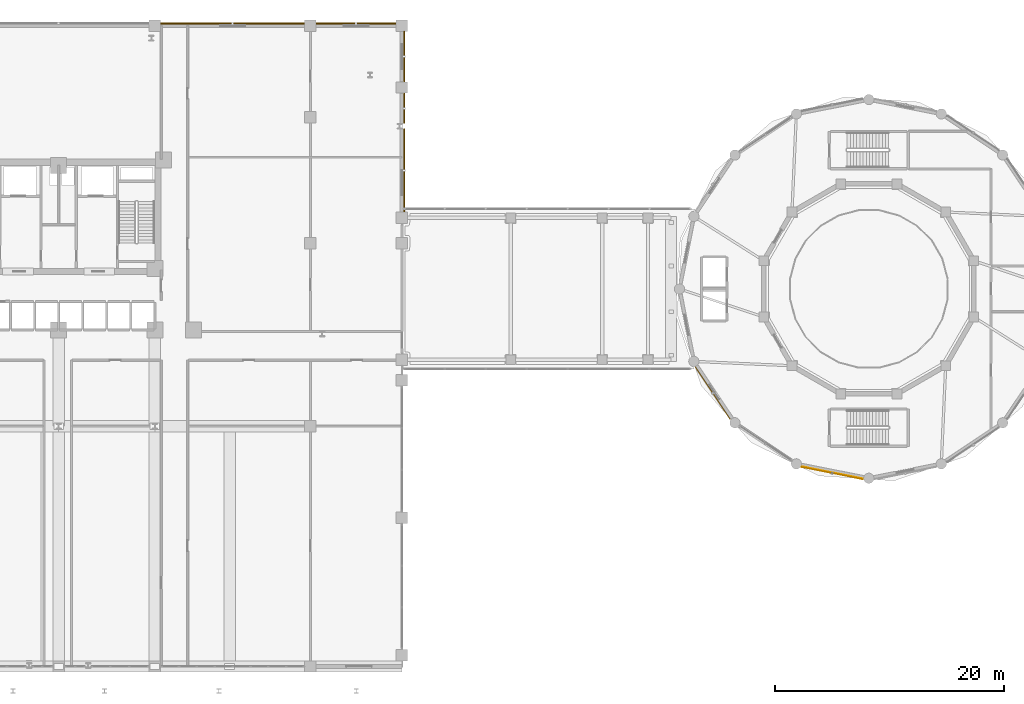
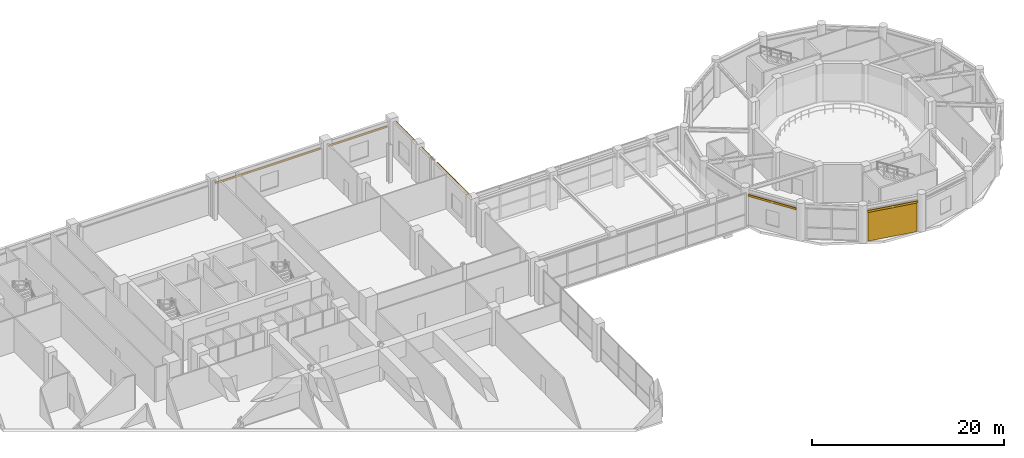
# One storey, part 41 of 44: 7 shading devices, 1 covering.
"""IFC4 building model written with IfcOpenShell, lengths in metres."""

from ifc_helpers import new_model, si_unit, derived_unit, direction, frame, origin, origin_2d, place, context, subcontext, project, spatial, polyline, hollow_rectangle, outline, extrude, source, transform, mapped, material, layer, layer_set, material_profile, profile_set, type_object, element, save


model = new_model("IFC4")

# Units and contexts
model_context = context("Model", 3, precision=1e-05, world=origin(), true_north=direction((0.0, 1.0)))
body_context = subcontext(model_context, "Body", "Model", "MODEL_VIEW")
ifc_project = project(units=[si_unit("LENGTHUNIT", "METRE"), si_unit("AREAUNIT", "SQUARE_METRE"), si_unit("VOLUMEUNIT", "CUBIC_METRE"), si_unit("PLANEANGLEUNIT", "RADIAN"), si_unit("MASSUNIT", "GRAM", prefix="KILO"), derived_unit("THERMALTRANSMITTANCEUNIT", [(si_unit("POWERUNIT", "WATT"), 1), (si_unit("LENGTHUNIT", "METRE"), -2), (si_unit("THERMODYNAMICTEMPERATUREUNIT", "KELVIN"), -1)])], contexts=[model_context])

# Site, building, storey
site_placement = place(None, origin())
site = spatial("IfcSite", under=ifc_project, at=site_placement, CompositionType="ELEMENT")
building_placement = place(site_placement, origin())
building = spatial("IfcBuilding", under=site, at=building_placement, Name="Korsvarv Bourse and Concert Hall", CompositionType="ELEMENT")
storey_placement = place(building_placement, frame((0.0, 0.0, 9.60009765625)))
storey = spatial("IfcBuildingStorey", under=building, at=storey_placement, Name="L02", CompositionType="ELEMENT", Elevation=9.60009765625)

# Covering
ifc_material_1 = material(Name="Warm iron-oxide extruded terracotta rainscreen tile", Category="ceramic")
ifc_layer = layer(ifc_material_1, 0.044921875)
ifc_layer_set = layer_set([ifc_layer], Name="Warm iron-oxide extruded terracotta rainscreen tile")
covering_type = type_object("IfcCoveringType", Name="COV-CLD-TC", PredefinedType="CLADDING", material=ifc_layer_set)
covering_placement = place(storey_placement, origin())
element("IfcCovering", 1, at=covering_placement, inside=storey, type_object=covering_type, Name="L02 fluted terracotta cladding panel EW-L02-CHD12", PredefinedType="CLADDING", context=body_context, shape_type="SweptSolid", body=[
    extrude(outline(polyline([(100.965087890625, 20.472900390625), (106.248779296875, 19.422119140625), (106.239990234375, 19.3779296875), (100.956298828125, 20.428955078125), (100.965087890625, 20.472900390625)])), origin(), (0.0, 0.0, 1.0), 3.6298828125),
])

# Shading devices
ifc_material_2 = material(Name="Glazed extruded architectural terracotta", Category="ceramic")
ifc_material_profile = material_profile(ifc_material_2, hollow_rectangle(XDim=0.090087890625, YDim=0.260009765625, WallThickness=0.011962890625, at=origin_2d()), Name="TC-BAG 90x260")
ifc_profile_set = profile_set([ifc_material_profile], Name="Glazed extruded architectural terracotta")
shading_device_type = type_object("IfcShadingDeviceType", Name="SHD-BAG-1", PredefinedType="USERDEFINED", material=ifc_profile_set)
shared_shape_1 = source(origin(), body_context, "Body", "SweptSolid", [
    extrude(hollow_rectangle(XDim=0.090087890625, YDim=0.260009765625, WallThickness=0.011962890625, at=origin_2d()), origin(), (0.0, 0.0, 1.0), 12.590087890625),
])
shading_device_1_placement = place(storey_placement, frame((44.905029296875, 59.195068359375, 3.489990234375), z_axis=(1.0, 0.0, 0.0), x_axis=(0.0, 1.0, 0.0)))
element("IfcShadingDevice", 2, at=shading_device_1_placement, inside=storey, type_object=shading_device_type, Name="L02 terracotta baguette sunshade EW-L02-N4", ObjectType="BAGUETTE", PredefinedType="USERDEFINED", context=body_context, shape_type="MappedRepresentation", body=[
    mapped(shared_shape_1, transform((0.0, 0.0, 0.0), scale=1.0)),
])
shared_shape_2 = source(origin(), body_context, "Body", "SweptSolid", [
    extrude(hollow_rectangle(XDim=0.090087890625, YDim=0.260009765625, WallThickness=0.011962890625, at=origin_2d()), origin(), (0.0, 0.0, 1.0), 6.990234375),
])
shading_device_2_placement = place(storey_placement, frame((58.5048828125, 59.195068359375, 3.489990234375), z_axis=(1.0, 0.0, 0.0), x_axis=(0.0, 1.0, 0.0)))
element("IfcShadingDevice", 3, at=shading_device_2_placement, inside=storey, type_object=shading_device_type, Name="L02 terracotta baguette sunshade EW-L02-N5", ObjectType="BAGUETTE", PredefinedType="USERDEFINED", context=body_context, shape_type="MappedRepresentation", body=[
    mapped(shared_shape_2, transform((0.0, 0.0, 0.0), scale=1.0)),
])
shared_shape_3 = source(origin(), body_context, "Body", "SweptSolid", [
    extrude(hollow_rectangle(XDim=0.090087890625, YDim=0.260009765625, WallThickness=0.011962890625, at=origin_2d()), origin(), (0.0, 0.0, 1.0), 2.6357421875),
])
shading_device_3_placement = place(storey_placement, frame((66.195068359375, 50.459228515625, 4.18994140625), z_axis=(0.0, 1.0, 0.0), x_axis=(-1.0, 0.0, 0.0)))
element("IfcShadingDevice", 4, at=shading_device_3_placement, inside=storey, type_object=shading_device_type, Name="L02 terracotta baguette sunshade EW-L02-E3-2", ObjectType="BAGUETTE", PredefinedType="USERDEFINED", context=body_context, shape_type="MappedRepresentation", body=[
    mapped(shared_shape_3, transform((0.0, 0.0, 0.0), scale=1.0)),
])
shared_shape_4 = source(origin(), body_context, "Body", "SweptSolid", [
    extrude(hollow_rectangle(XDim=0.090087890625, YDim=0.260009765625, WallThickness=0.011962890625, at=origin_2d()), origin(), (0.0, 0.0, 1.0), 4.39013671875),
])
shading_device_4_placement = place(storey_placement, frame((66.195068359375, 54.10498046875, 4.18994140625), z_axis=(0.0, 1.0, 0.0), x_axis=(-1.0, 0.0, 0.0)))
element("IfcShadingDevice", 5, at=shading_device_4_placement, inside=storey, type_object=shading_device_type, Name="L02 terracotta baguette sunshade EW-L02-E4", ObjectType="BAGUETTE", PredefinedType="USERDEFINED", context=body_context, shape_type="MappedRepresentation", body=[
    mapped(shared_shape_4, transform((0.0, 0.0, 0.0), scale=1.0)),
])
shared_shape_5 = source(origin(), body_context, "Body", "SweptSolid", [
    extrude(hollow_rectangle(XDim=0.090087890625, YDim=0.260009765625, WallThickness=0.011962890625, at=origin_2d()), origin(), (0.0, 0.0, 1.0), 7.27001953125),
])
shading_device_5_placement = place(storey_placement, frame((66.195068359375, 42.705078125, 4.18994140625), z_axis=(0.0, 1.0, 0.0), x_axis=(-1.0, 0.0, 0.0)))
element("IfcShadingDevice", 6, at=shading_device_5_placement, inside=storey, type_object=shading_device_type, Name="L02 terracotta baguette sunshade EW-L02-E3-1", ObjectType="BAGUETTE", PredefinedType="USERDEFINED", context=body_context, shape_type="MappedRepresentation", body=[
    mapped(shared_shape_5, transform((0.0, 0.0, 0.0), scale=1.0)),
])
shared_shape_6 = source(origin(), body_context, "Body", "SweptSolid", [
    extrude(hollow_rectangle(XDim=0.090087890625, YDim=0.260009765625, WallThickness=0.011962890625, at=origin_2d()), origin(), (0.0, 0.0, 1.0), 5.54736328125),
])
for number, where, z_axis, x_axis, name in (
    (7, (91.6171875, 29.191162109375, 3.789794921875), (0.555573305798, -0.831467559129, 0.0), (0.831467559129, 0.555573305798, 0.0), "L02 terracotta baguette sunshade EW-L02-CHD10"),
    (8, (100.87890625, 20.449462890625, 3.789794921875), (0.980783277025, -0.195100393406, 0.0), (0.195100393406, 0.980783277025, 0.0), "L02 terracotta baguette sunshade EW-L02-CHD12"),
):
    element("IfcShadingDevice", number, at=place(storey_placement, frame(where, z_axis=z_axis, x_axis=x_axis)), inside=storey, type_object=shading_device_type, Name=name, ObjectType="BAGUETTE", PredefinedType="USERDEFINED", context=body_context, shape_type="MappedRepresentation", body=[
        mapped(shared_shape_6, transform((0.0, 0.0, 0.0), scale=1.0)),
    ])

save(model, "model.ifc")
